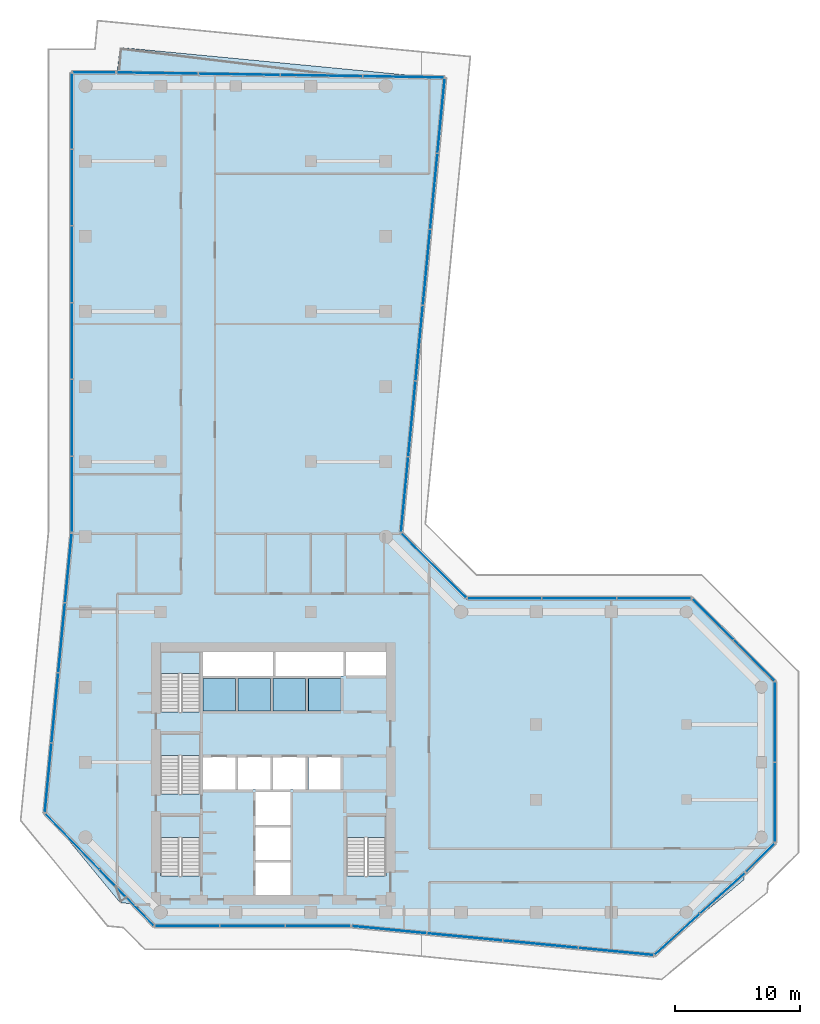
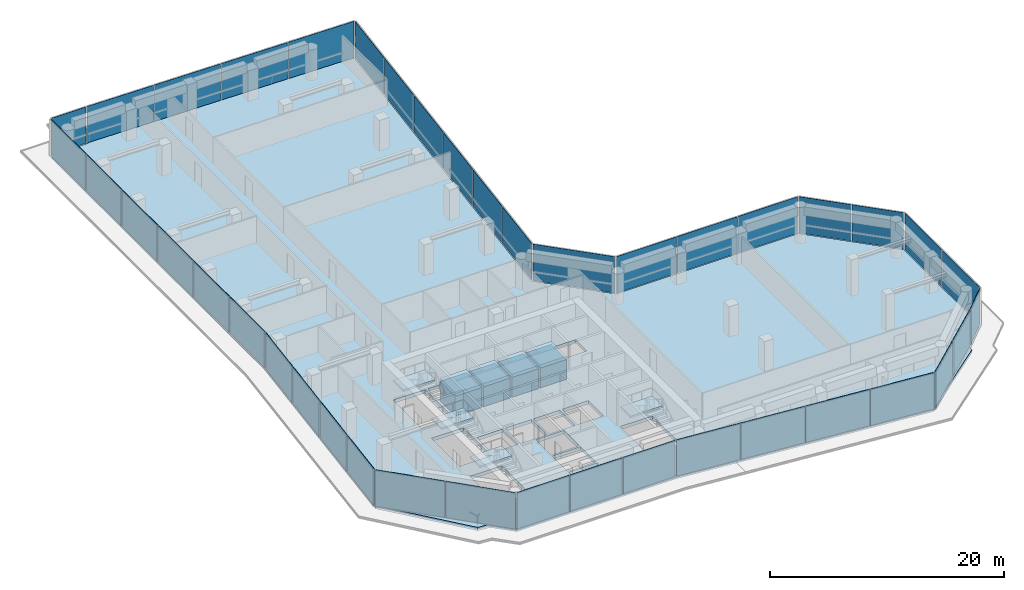
# One storey, part 7 of 12: 41 plates, 13 slabs, 18 elements without a shape of their own.
"""IFC4 building model written with IfcOpenShell, lengths in metres."""

from ifc_helpers import new_model, si_unit, direction, frame, origin, origin_2d, place, context, subcontext, project, spatial, polyline, rectangle, outline, extrude, material, layer, layer_set, type_object, element, aggregate, save


model = new_model("IFC4")

# Units and contexts
model_context = context("Model", 3, precision=1e-05, world=origin(), true_north=direction((0.0, 1.0)))
body_context = subcontext(model_context, "Body", "Model", "MODEL_VIEW")
ifc_project = project(units=[si_unit("LENGTHUNIT", "METRE"), si_unit("AREAUNIT", "SQUARE_METRE"), si_unit("VOLUMEUNIT", "CUBIC_METRE"), si_unit("PLANEANGLEUNIT", "RADIAN"), si_unit("MASSUNIT", "GRAM", prefix="KILO")], contexts=[model_context])

# Site, building, storey
site_placement = place(None, origin())
site = spatial("IfcSite", under=ifc_project, at=site_placement, CompositionType="ELEMENT")
building_placement = place(site_placement, origin())
building = spatial("IfcBuilding", under=site, at=building_placement, Name="Welwitschia Terrace Campus", CompositionType="ELEMENT")
storey_placement = place(building_placement, frame((0.0, 0.0, 134.0)))
storey = spatial("IfcBuildingStorey", under=building, at=storey_placement, Name="L30", CompositionType="ELEMENT", Elevation=134.0)

# Curtain wall, plates
ifc_material_1 = material(Name="Bronze anodised aluminium", Category="aluminium")
ifc_layer_1 = layer(ifc_material_1, 0.199951171875)
ifc_layer_set_1 = layer_set([ifc_layer_1], Name="Bronze anodised aluminium")
curtain_wall_type = type_object("IfcCurtainWallType", Name="Curtain wall CW6 plant floor 6000", PredefinedType="NOTDEFINED", material=ifc_layer_set_1)
curtain_wall_1_placement = place(storey_placement, origin())
curtain_wall_1 = element("IfcCurtainWall", 1, at=curtain_wall_1_placement, inside=storey, type_object=curtain_wall_type, Name="CW L30.0.0", PredefinedType="NOTDEFINED")
ifc_material_2 = material(Name="Tinted bronze-grey glass", Category="glass")
ifc_layer_2 = layer(ifc_material_2, 0.035888671875)
ifc_layer_set_2 = layer_set([ifc_layer_2], Name="Tinted bronze-grey glass")
plate_type = type_object("IfcPlateType", Name="Glass panel 36 laminated", PredefinedType="CURTAIN_PANEL", material=ifc_layer_set_2)
plate_1_placement = place(storey_placement, frame((-1.357421875, 31.503662109375, 0.0), z_axis=(0.0, 0.0, 1.0), x_axis=(-0.09584575252, -0.995396198367, 0.0)))
plate_1 = element("IfcPlate", 2, at=plate_1_placement, type_object=plate_type, Name="Panel L30.0.0.0", PredefinedType="CURTAIN_PANEL", context=body_context, shape_type="SweptSolid", body=[
    extrude(rectangle(XDim=5.502197265625, YDim=0.035888671875, at=origin_2d()), origin(), (0.0, 0.0, 1.0), 3.800048828125),
])
plate_2_placement = place(storey_placement, frame((-1.894287109375, 25.92724609375, 0.0), z_axis=(0.0, 0.0, 1.0), x_axis=(-0.09584575252, -0.995396198367, 0.0)))
plate_2 = element("IfcPlate", 3, at=plate_2_placement, type_object=plate_type, Name="Panel L30.0.0.1", PredefinedType="CURTAIN_PANEL", context=body_context, shape_type="SweptSolid", body=[
    extrude(rectangle(XDim=5.542236328125, YDim=0.035888671875, at=origin_2d()), origin(), (0.0, 0.0, 1.0), 3.800048828125),
])
plate_3_placement = place(storey_placement, frame((-2.43310546875, 20.3310546875, 0.0), z_axis=(0.0, 0.0, 1.0), x_axis=(-0.09584575252, -0.995396198367, 0.0)))
plate_3 = element("IfcPlate", 4, at=plate_3_placement, type_object=plate_type, Name="Panel L30.0.0.2", PredefinedType="CURTAIN_PANEL", context=body_context, shape_type="SweptSolid", body=[
    extrude(rectangle(XDim=5.542236328125, YDim=0.035888671875, at=origin_2d()), origin(), (0.0, 0.0, 1.0), 3.800048828125),
])
plate_4_placement = place(storey_placement, frame((-2.969970703125, 14.754638671875, 0.0), z_axis=(0.0, 0.0, 1.0), x_axis=(-0.09584575252, -0.995396198367, 0.0)))
plate_4 = element("IfcPlate", 5, at=plate_4_placement, type_object=plate_type, Name="Panel L30.0.0.3", PredefinedType="CURTAIN_PANEL", context=body_context, shape_type="SweptSolid", body=[
    extrude(rectangle(XDim=5.502197265625, YDim=0.035888671875, at=origin_2d()), origin(), (0.0, 0.0, 1.0), 3.800048828125),
])
aggregate(curtain_wall_1, [plate_1, plate_2, plate_3, plate_4])

curtain_wall_2_placement = place(storey_placement, origin())
curtain_wall_2 = element("IfcCurtainWall", 6, at=curtain_wall_2_placement, inside=storey, type_object=curtain_wall_type, Name="CW L30.1.0", PredefinedType="NOTDEFINED")
plate_5_placement = place(storey_placement, frame((-1.042724609375, 9.666748046875, 0.0), z_axis=(0.0, 0.0, 1.0), x_axis=(0.695726920407, -0.718306377683, 0.0)))
plate_5 = element("IfcPlate", 7, at=plate_5_placement, type_object=plate_type, Name="Panel L30.1.0.0", PredefinedType="CURTAIN_PANEL", context=body_context, shape_type="SweptSolid", body=[
    extrude(rectangle(XDim=6.16064453125, YDim=0.035888671875, at=origin_2d()), origin(), (0.0, 0.0, 1.0), 3.800048828125),
])
plate_6_placement = place(storey_placement, frame((3.299072265625, 5.18408203125, 0.0), z_axis=(0.0, 0.0, 1.0), x_axis=(0.695726920407, -0.718306377683, 0.0)))
plate_6 = element("IfcPlate", 8, at=plate_6_placement, type_object=plate_type, Name="Panel L30.1.0.1", PredefinedType="CURTAIN_PANEL", context=body_context, shape_type="SweptSolid", body=[
    extrude(rectangle(XDim=6.16064453125, YDim=0.035888671875, at=origin_2d()), origin(), (0.0, 0.0, 1.0), 3.800048828125),
])
aggregate(curtain_wall_2, [plate_5, plate_6])

curtain_wall_3_placement = place(storey_placement, origin())
curtain_wall_3 = element("IfcCurtainWall", 9, at=curtain_wall_3_placement, inside=storey, type_object=curtain_wall_type, Name="CW L30.2.0", PredefinedType="NOTDEFINED")
plate_7_placement = place(storey_placement, frame((8.138916015625, 2.9140625, 0.0), z_axis=(0.0, 0.0, 1.0), x_axis=(1.0, 0.0, 0.0)))
plate_7 = element("IfcPlate", 10, at=plate_7_placement, type_object=plate_type, Name="Panel L30.2.0.0", PredefinedType="CURTAIN_PANEL", context=body_context, shape_type="SweptSolid", body=[
    extrude(rectangle(XDim=5.12255859375, YDim=0.035888671875, at=origin_2d()), origin(), (0.0, 0.0, 1.0), 3.800048828125),
])
plate_8_placement = place(storey_placement, frame((13.361328125, 2.9140625, 0.0), z_axis=(0.0, 0.0, 1.0), x_axis=(1.0, 0.0, 0.0)))
plate_8 = element("IfcPlate", 11, at=plate_8_placement, type_object=plate_type, Name="Panel L30.2.0.1", PredefinedType="CURTAIN_PANEL", context=body_context, shape_type="SweptSolid", body=[
    extrude(rectangle(XDim=5.16259765625, YDim=0.035888671875, at=origin_2d()), origin(), (0.0, 0.0, 1.0), 3.800048828125),
])
plate_9_placement = place(storey_placement, frame((18.583984375, 2.9140625, 0.0), z_axis=(0.0, 0.0, 1.0), x_axis=(1.0, 0.0, 0.0)))
plate_9 = element("IfcPlate", 12, at=plate_9_placement, type_object=plate_type, Name="Panel L30.2.0.2", PredefinedType="CURTAIN_PANEL", context=body_context, shape_type="SweptSolid", body=[
    extrude(rectangle(XDim=5.12255859375, YDim=0.035888671875, at=origin_2d()), origin(), (0.0, 0.0, 1.0), 3.800048828125),
])
aggregate(curtain_wall_3, [plate_7, plate_8, plate_9])

curtain_wall_4_placement = place(storey_placement, origin())
curtain_wall_4 = element("IfcCurtainWall", 13, at=curtain_wall_4_placement, inside=storey, type_object=curtain_wall_type, Name="CW L30.3.0", PredefinedType="NOTDEFINED")
plate_10_placement = place(storey_placement, frame((24.270751953125, 2.620849609375, 0.0), z_axis=(0.0, 0.0, 1.0), x_axis=(0.995396198367, -0.09584575252, 0.0)))
plate_10 = element("IfcPlate", 14, at=plate_10_placement, type_object=plate_type, Name="Panel L30.3.0.0", PredefinedType="CURTAIN_PANEL", context=body_context, shape_type="SweptSolid", body=[
    extrude(rectangle(XDim=5.959228515625, YDim=0.035888671875, at=origin_2d()), origin(), (0.0, 0.0, 1.0), 3.800048828125),
])
plate_11_placement = place(storey_placement, frame((30.302001953125, 2.0400390625, 0.0), z_axis=(0.0, 0.0, 1.0), x_axis=(0.995396198367, -0.09584575252, 0.0)))
plate_11 = element("IfcPlate", 15, at=plate_11_placement, type_object=plate_type, Name="Panel L30.3.0.1", PredefinedType="CURTAIN_PANEL", context=body_context, shape_type="SweptSolid", body=[
    extrude(rectangle(XDim=5.999267578125, YDim=0.035888671875, at=origin_2d()), origin(), (0.0, 0.0, 1.0), 3.800048828125),
])
plate_12_placement = place(storey_placement, frame((36.353271484375, 1.457275390625, 0.0), z_axis=(0.0, 0.0, 1.0), x_axis=(0.995396198367, -0.09584575252, 0.0)))
plate_12 = element("IfcPlate", 16, at=plate_12_placement, type_object=plate_type, Name="Panel L30.3.0.2", PredefinedType="CURTAIN_PANEL", context=body_context, shape_type="SweptSolid", body=[
    extrude(rectangle(XDim=5.999267578125, YDim=0.035888671875, at=origin_2d()), origin(), (0.0, 0.0, 1.0), 3.800048828125),
])
plate_13_placement = place(storey_placement, frame((42.384765625, 0.87646484375, 0.0), z_axis=(0.0, 0.0, 1.0), x_axis=(0.995396198367, -0.09584575252, 0.0)))
plate_13 = element("IfcPlate", 17, at=plate_13_placement, type_object=plate_type, Name="Panel L30.3.0.3", PredefinedType="CURTAIN_PANEL", context=body_context, shape_type="SweptSolid", body=[
    extrude(rectangle(XDim=5.959228515625, YDim=0.035888671875, at=origin_2d()), origin(), (0.0, 0.0, 1.0), 3.800048828125),
])
aggregate(curtain_wall_4, [plate_10, plate_11, plate_12, plate_13])

curtain_wall_5_placement = place(storey_placement, origin())
curtain_wall_5 = element("IfcCurtainWall", 18, at=curtain_wall_5_placement, inside=storey, type_object=curtain_wall_type, Name="CW L30.4.0", PredefinedType="NOTDEFINED")
plate_14_placement = place(storey_placement, frame((47.27099609375, 2.25048828125, 0.0), z_axis=(0.0, 0.0, 1.0), x_axis=(0.741194149237, 0.671290721771, 0.0)))
plate_14 = element("IfcPlate", 19, at=plate_14_placement, type_object=plate_type, Name="Panel L30.4.0.0", PredefinedType="CURTAIN_PANEL", context=body_context, shape_type="SweptSolid", body=[
    extrude(rectangle(XDim=4.80712890625, YDim=0.035888671875, at=origin_2d()), origin(), (0.0, 0.0, 1.0), 3.800048828125),
])
plate_15_placement = place(storey_placement, frame((50.893310546875, 5.531005859375, 0.0), z_axis=(0.0, 0.0, 1.0), x_axis=(0.741194149237, 0.671290721771, 0.0)))
plate_15 = element("IfcPlate", 20, at=plate_15_placement, type_object=plate_type, Name="Panel L30.4.0.1", PredefinedType="CURTAIN_PANEL", context=body_context, shape_type="SweptSolid", body=[
    extrude(rectangle(XDim=4.80712890625, YDim=0.035888671875, at=origin_2d()), origin(), (0.0, 0.0, 1.0), 3.800048828125),
])
aggregate(curtain_wall_5, [plate_14, plate_15])

# Curtain wall, plate
curtain_wall_6_placement = place(storey_placement, origin())
curtain_wall_6 = element("IfcCurtainWall", 21, at=curtain_wall_6_placement, inside=storey, type_object=curtain_wall_type, Name="CW L30.5.0", PredefinedType="NOTDEFINED")
plate_16_placement = place(storey_placement, frame((53.91015625, 8.374267578125, 0.0), z_axis=(0.0, 0.0, 1.0), x_axis=(0.707106781187, 0.707106781187, 0.0)))
plate_16 = element("IfcPlate", 22, at=plate_16_placement, type_object=plate_type, Name="Panel L30.5.0.0", PredefinedType="CURTAIN_PANEL", context=body_context, shape_type="SweptSolid", body=[
    extrude(rectangle(XDim=3.166015625, YDim=0.035888671875, at=origin_2d()), origin(), (0.0, 0.0, 1.0), 3.800048828125),
])
aggregate(curtain_wall_6, [plate_16])

# Curtain wall, plates
curtain_wall_7_placement = place(storey_placement, origin())
curtain_wall_7 = element("IfcCurtainWall", 23, at=curtain_wall_7_placement, inside=storey, type_object=curtain_wall_type, Name="CW L30.6.0", PredefinedType="NOTDEFINED")
plate_17_placement = place(storey_placement, frame((55.0859375, 12.795166015625, 0.0), z_axis=(0.0, 0.0, 1.0), x_axis=(0.0, 1.0, 0.0)))
plate_17 = element("IfcPlate", 24, at=plate_17_placement, type_object=plate_type, Name="Panel L30.6.0.0", PredefinedType="CURTAIN_PANEL", context=body_context, shape_type="SweptSolid", body=[
    extrude(rectangle(XDim=6.329833984375, YDim=0.035888671875, at=origin_2d()), origin(), (0.0, 0.0, 1.0), 3.800048828125),
])
plate_18_placement = place(storey_placement, frame((55.0859375, 19.204833984375, 0.0), z_axis=(0.0, 0.0, 1.0), x_axis=(0.0, 1.0, 0.0)))
plate_18 = element("IfcPlate", 25, at=plate_18_placement, type_object=plate_type, Name="Panel L30.6.0.1", PredefinedType="CURTAIN_PANEL", context=body_context, shape_type="SweptSolid", body=[
    extrude(rectangle(XDim=6.329833984375, YDim=0.035888671875, at=origin_2d()), origin(), (0.0, 0.0, 1.0), 3.800048828125),
])
aggregate(curtain_wall_7, [plate_17, plate_18])

curtain_wall_8_placement = place(storey_placement, origin())
curtain_wall_8 = element("IfcCurtainWall", 26, at=curtain_wall_8_placement, inside=storey, type_object=curtain_wall_type, Name="CW L30.7.0", PredefinedType="NOTDEFINED")
plate_19_placement = place(storey_placement, frame((53.412841796875, 24.123046875, 0.0), z_axis=(0.0, 0.0, 1.0), x_axis=(-0.707106781187, 0.707106781187, 0.0)))
plate_19 = element("IfcPlate", 27, at=plate_19_placement, type_object=plate_type, Name="Panel L30.7.0.0", PredefinedType="CURTAIN_PANEL", context=body_context, shape_type="SweptSolid", body=[
    extrude(rectangle(XDim=4.572509765625, YDim=0.035888671875, at=origin_2d()), origin(), (0.0, 0.0, 1.0), 3.800048828125),
])
plate_20_placement = place(storey_placement, frame((50.123046875, 27.412841796875, 0.0), z_axis=(0.0, 0.0, 1.0), x_axis=(-0.707106781187, 0.707106781187, 0.0)))
plate_20 = element("IfcPlate", 28, at=plate_20_placement, type_object=plate_type, Name="Panel L30.7.0.1", PredefinedType="CURTAIN_PANEL", context=body_context, shape_type="SweptSolid", body=[
    extrude(rectangle(XDim=4.572509765625, YDim=0.035888671875, at=origin_2d()), origin(), (0.0, 0.0, 1.0), 3.800048828125),
])
aggregate(curtain_wall_8, [plate_19, plate_20])

curtain_wall_9_placement = place(storey_placement, origin())
curtain_wall_9 = element("IfcCurtainWall", 29, at=curtain_wall_9_placement, inside=storey, type_object=curtain_wall_type, Name="CW L30.8.0", PredefinedType="NOTDEFINED")
plate_21_placement = place(storey_placement, frame((45.429931640625, 29.0859375, 0.0), z_axis=(0.0, 0.0, 1.0), x_axis=(-1.0, 0.0, 0.0)))
plate_21 = element("IfcPlate", 30, at=plate_21_placement, type_object=plate_type, Name="Panel L30.8.0.0", PredefinedType="CURTAIN_PANEL", context=body_context, shape_type="SweptSolid", body=[
    extrude(rectangle(XDim=5.8798828125, YDim=0.035888671875, at=origin_2d()), origin(), (0.0, 0.0, 1.0), 3.800048828125),
])
plate_22_placement = place(storey_placement, frame((39.449951171875, 29.0859375, 0.0), z_axis=(0.0, 0.0, 1.0), x_axis=(-1.0, 0.0, 0.0)))
plate_22 = element("IfcPlate", 31, at=plate_22_placement, type_object=plate_type, Name="Panel L30.8.0.1", PredefinedType="CURTAIN_PANEL", context=body_context, shape_type="SweptSolid", body=[
    extrude(rectangle(XDim=5.919921875, YDim=0.035888671875, at=origin_2d()), origin(), (0.0, 0.0, 1.0), 3.800048828125),
])
plate_23_placement = place(storey_placement, frame((33.4697265625, 29.0859375, 0.0), z_axis=(0.0, 0.0, 1.0), x_axis=(-1.0, 0.0, 0.0)))
plate_23 = element("IfcPlate", 32, at=plate_23_placement, type_object=plate_type, Name="Panel L30.8.0.2", PredefinedType="CURTAIN_PANEL", context=body_context, shape_type="SweptSolid", body=[
    extrude(rectangle(XDim=5.8798828125, YDim=0.035888671875, at=origin_2d()), origin(), (0.0, 0.0, 1.0), 3.800048828125),
])
aggregate(curtain_wall_9, [plate_21, plate_22, plate_23])

# Curtain wall, plate
curtain_wall_10_placement = place(storey_placement, origin())
curtain_wall_10 = element("IfcCurtainWall", 33, at=curtain_wall_10_placement, inside=storey, type_object=curtain_wall_type, Name="CW L30.9.0", PredefinedType="NOTDEFINED")
plate_24_placement = place(storey_placement, frame((27.828857421875, 31.70703125, 0.0), z_axis=(0.0, 0.0, 1.0), x_axis=(-0.707106781187, 0.707106781187, 0.0)))
plate_24 = element("IfcPlate", 34, at=plate_24_placement, type_object=plate_type, Name="Panel L30.9.0.0", PredefinedType="CURTAIN_PANEL", context=body_context, shape_type="SweptSolid", body=[
    extrude(rectangle(XDim=7.253662109375, YDim=0.035888671875, at=origin_2d()), origin(), (0.0, 0.0, 1.0), 3.800048828125),
])
aggregate(curtain_wall_10, [plate_24])

# Curtain wall, plates
curtain_wall_11_placement = place(storey_placement, origin())
curtain_wall_11 = element("IfcCurtainWall", 35, at=curtain_wall_11_placement, inside=storey, type_object=curtain_wall_type, Name="CW L30.10.0", PredefinedType="NOTDEFINED")
plate_25_placement = place(storey_placement, frame((25.501220703125, 37.37744140625, 0.0), z_axis=(0.0, 0.0, 1.0), x_axis=(0.09584575252, 0.995396198367, 0.0)))
plate_25 = element("IfcPlate", 36, at=plate_25_placement, type_object=plate_type, Name="Panel L30.10.0.0", PredefinedType="CURTAIN_PANEL", context=body_context, shape_type="SweptSolid", body=[
    extrude(rectangle(XDim=5.966796875, YDim=0.035888671875, at=origin_2d()), origin(), (0.0, 0.0, 1.0), 3.800048828125),
])
plate_26_placement = place(storey_placement, frame((26.082763671875, 43.416259765625, 0.0), z_axis=(0.0, 0.0, 1.0), x_axis=(0.09584575252, 0.995396198367, 0.0)))
plate_26 = element("IfcPlate", 37, at=plate_26_placement, type_object=plate_type, Name="Panel L30.10.0.1", PredefinedType="CURTAIN_PANEL", context=body_context, shape_type="SweptSolid", body=[
    extrude(rectangle(XDim=6.0068359375, YDim=0.035888671875, at=origin_2d()), origin(), (0.0, 0.0, 1.0), 3.800048828125),
])
plate_27_placement = place(storey_placement, frame((26.666259765625, 49.47509765625, 0.0), z_axis=(0.0, 0.0, 1.0), x_axis=(0.09584575252, 0.995396198367, 0.0)))
plate_27 = element("IfcPlate", 38, at=plate_27_placement, type_object=plate_type, Name="Panel L30.10.0.2", PredefinedType="CURTAIN_PANEL", context=body_context, shape_type="SweptSolid", body=[
    extrude(rectangle(XDim=6.0068359375, YDim=0.035888671875, at=origin_2d()), origin(), (0.0, 0.0, 1.0), 3.800048828125),
])
plate_28_placement = place(storey_placement, frame((27.24951171875, 55.533935546875, 0.0), z_axis=(0.0, 0.0, 1.0), x_axis=(0.09584575252, 0.995396198367, 0.0)))
plate_28 = element("IfcPlate", 39, at=plate_28_placement, type_object=plate_type, Name="Panel L30.10.0.3", PredefinedType="CURTAIN_PANEL", context=body_context, shape_type="SweptSolid", body=[
    extrude(rectangle(XDim=6.0068359375, YDim=0.035888671875, at=origin_2d()), origin(), (0.0, 0.0, 1.0), 3.800048828125),
])
plate_29_placement = place(storey_placement, frame((27.8330078125, 61.592529296875, 0.0), z_axis=(0.0, 0.0, 1.0), x_axis=(0.09584575252, 0.995396198367, 0.0)))
plate_29 = element("IfcPlate", 40, at=plate_29_placement, type_object=plate_type, Name="Panel L30.10.0.4", PredefinedType="CURTAIN_PANEL", context=body_context, shape_type="SweptSolid", body=[
    extrude(rectangle(XDim=6.0068359375, YDim=0.035888671875, at=origin_2d()), origin(), (0.0, 0.0, 1.0), 3.800048828125),
])
plate_30_placement = place(storey_placement, frame((28.414306640625, 67.631591796875, 0.0), z_axis=(0.0, 0.0, 1.0), x_axis=(0.09584575252, 0.995396198367, 0.0)))
plate_30 = element("IfcPlate", 41, at=plate_30_placement, type_object=plate_type, Name="Panel L30.10.0.5", PredefinedType="CURTAIN_PANEL", context=body_context, shape_type="SweptSolid", body=[
    extrude(rectangle(XDim=5.966796875, YDim=0.035888671875, at=origin_2d()), origin(), (0.0, 0.0, 1.0), 3.800048828125),
])
aggregate(curtain_wall_11, [plate_25, plate_26, plate_27, plate_28, plate_29, plate_30])

curtain_wall_12_placement = place(storey_placement, origin())
curtain_wall_12 = element("IfcCurtainWall", 42, at=curtain_wall_12_placement, inside=storey, type_object=curtain_wall_type, Name="CW L30.11.0", PredefinedType="NOTDEFINED")
plate_31_placement = place(storey_placement, frame((25.40625, 70.731689453125, 0.0), z_axis=(0.0, 0.0, 1.0), x_axis=(-0.999880907458, 0.015432786585, 0.0)))
plate_31 = element("IfcPlate", 43, at=plate_31_placement, type_object=plate_type, Name="Panel L30.11.0.0", PredefinedType="CURTAIN_PANEL", context=body_context, shape_type="SweptSolid", body=[
    extrude(rectangle(XDim=6.4443359375, YDim=0.035888671875, at=origin_2d()), origin(), (0.0, 0.0, 1.0), 3.800048828125),
])
plate_32_placement = place(storey_placement, frame((18.86279296875, 70.832763671875, 0.0), z_axis=(0.0, 0.0, 1.0), x_axis=(-0.999880907458, 0.015432786585, 0.0)))
plate_32 = element("IfcPlate", 44, at=plate_32_placement, type_object=plate_type, Name="Panel L30.11.0.1", PredefinedType="CURTAIN_PANEL", context=body_context, shape_type="SweptSolid", body=[
    extrude(rectangle(XDim=6.484375, YDim=0.035888671875, at=origin_2d()), origin(), (0.0, 0.0, 1.0), 3.800048828125),
])
plate_33_placement = place(storey_placement, frame((12.29931640625, 70.93408203125, 0.0), z_axis=(0.0, 0.0, 1.0), x_axis=(-0.999880907458, 0.015432786585, 0.0)))
plate_33 = element("IfcPlate", 45, at=plate_33_placement, type_object=plate_type, Name="Panel L30.11.0.2", PredefinedType="CURTAIN_PANEL", context=body_context, shape_type="SweptSolid", body=[
    extrude(rectangle(XDim=6.484375, YDim=0.035888671875, at=origin_2d()), origin(), (0.0, 0.0, 1.0), 3.800048828125),
])
plate_34_placement = place(storey_placement, frame((5.755859375, 71.03515625, 0.0), z_axis=(0.0, 0.0, 1.0), x_axis=(-0.999880907458, 0.015432786585, 0.0)))
plate_34 = element("IfcPlate", 46, at=plate_34_placement, type_object=plate_type, Name="Panel L30.11.0.3", PredefinedType="CURTAIN_PANEL", context=body_context, shape_type="SweptSolid", body=[
    extrude(rectangle(XDim=6.4443359375, YDim=0.035888671875, at=origin_2d()), origin(), (0.0, 0.0, 1.0), 3.800048828125),
])
aggregate(curtain_wall_12, [plate_31, plate_32, plate_33, plate_34])

# Curtain wall, plate
curtain_wall_13_placement = place(storey_placement, origin())
curtain_wall_13 = element("IfcCurtainWall", 47, at=curtain_wall_13_placement, inside=storey, type_object=curtain_wall_type, Name="CW L30.12.0", PredefinedType="NOTDEFINED")
plate_35_placement = place(storey_placement, frame((0.68408203125, 71.0859375, 0.0), z_axis=(0.0, 0.0, 1.0), x_axis=(-1.0, 0.0, 0.0)))
plate_35 = element("IfcPlate", 48, at=plate_35_placement, type_object=plate_type, Name="Panel L30.12.0.0", PredefinedType="CURTAIN_PANEL", context=body_context, shape_type="SweptSolid", body=[
    extrude(rectangle(XDim=3.3798828125, YDim=0.035888671875, at=origin_2d()), origin(), (0.0, 0.0, 1.0), 3.800048828125),
])
aggregate(curtain_wall_13, [plate_35])

# Curtain wall, plates
curtain_wall_14_placement = place(storey_placement, origin())
curtain_wall_14 = element("IfcCurtainWall", 49, at=curtain_wall_14_placement, inside=storey, type_object=curtain_wall_type, Name="CW L30.13.0", PredefinedType="NOTDEFINED")
plate_36_placement = place(storey_placement, frame((-1.0859375, 68.002197265625, 0.0), z_axis=(0.0, 0.0, 1.0), x_axis=(0.0, -1.0, 0.0)))
plate_36 = element("IfcPlate", 50, at=plate_36_placement, type_object=plate_type, Name="Panel L30.13.0.0", PredefinedType="CURTAIN_PANEL", context=body_context, shape_type="SweptSolid", body=[
    extrude(rectangle(XDim=6.00732421875, YDim=0.035888671875, at=origin_2d()), origin(), (0.0, 0.0, 1.0), 3.800048828125),
])
plate_37_placement = place(storey_placement, frame((-1.0859375, 61.89501953125, 0.0), z_axis=(0.0, 0.0, 1.0), x_axis=(0.0, -1.0, 0.0)))
plate_37 = element("IfcPlate", 51, at=plate_37_placement, type_object=plate_type, Name="Panel L30.13.0.1", PredefinedType="CURTAIN_PANEL", context=body_context, shape_type="SweptSolid", body=[
    extrude(rectangle(XDim=6.04736328125, YDim=0.035888671875, at=origin_2d()), origin(), (0.0, 0.0, 1.0), 3.800048828125),
])
plate_38_placement = place(storey_placement, frame((-1.0859375, 55.767578125, 0.0), z_axis=(0.0, 0.0, 1.0), x_axis=(0.0, -1.0, 0.0)))
plate_38 = element("IfcPlate", 52, at=plate_38_placement, type_object=plate_type, Name="Panel L30.13.0.2", PredefinedType="CURTAIN_PANEL", context=body_context, shape_type="SweptSolid", body=[
    extrude(rectangle(XDim=6.04736328125, YDim=0.035888671875, at=origin_2d()), origin(), (0.0, 0.0, 1.0), 3.800048828125),
])
plate_39_placement = place(storey_placement, frame((-1.0859375, 49.64013671875, 0.0), z_axis=(0.0, 0.0, 1.0), x_axis=(0.0, -1.0, 0.0)))
plate_39 = element("IfcPlate", 53, at=plate_39_placement, type_object=plate_type, Name="Panel L30.13.0.3", PredefinedType="CURTAIN_PANEL", context=body_context, shape_type="SweptSolid", body=[
    extrude(rectangle(XDim=6.04736328125, YDim=0.035888671875, at=origin_2d()), origin(), (0.0, 0.0, 1.0), 3.800048828125),
])
plate_40_placement = place(storey_placement, frame((-1.0859375, 43.5126953125, 0.0), z_axis=(0.0, 0.0, 1.0), x_axis=(0.0, -1.0, 0.0)))
plate_40 = element("IfcPlate", 54, at=plate_40_placement, type_object=plate_type, Name="Panel L30.13.0.4", PredefinedType="CURTAIN_PANEL", context=body_context, shape_type="SweptSolid", body=[
    extrude(rectangle(XDim=6.04736328125, YDim=0.035888671875, at=origin_2d()), origin(), (0.0, 0.0, 1.0), 3.800048828125),
])
plate_41_placement = place(storey_placement, frame((-1.0859375, 37.405517578125, 0.0), z_axis=(0.0, 0.0, 1.0), x_axis=(0.0, -1.0, 0.0)))
plate_41 = element("IfcPlate", 55, at=plate_41_placement, type_object=plate_type, Name="Panel L30.13.0.5", PredefinedType="CURTAIN_PANEL", context=body_context, shape_type="SweptSolid", body=[
    extrude(rectangle(XDim=6.00732421875, YDim=0.035888671875, at=origin_2d()), origin(), (0.0, 0.0, 1.0), 3.800048828125),
])
aggregate(curtain_wall_14, [plate_36, plate_37, plate_38, plate_39, plate_40, plate_41])

# Slabs
ifc_material_3 = material(Name="Concrete C40/50", Category="concrete")
ifc_layer_3 = layer(ifc_material_3, 2.050048828125)
ifc_layer_set_3 = layer_set([ifc_layer_3], Name="Concrete C40/50")
slab_type_1 = type_object("IfcSlabType", Name="Lift pit plinth 2050", PredefinedType="BASESLAB", material=ifc_layer_set_3)
slab_1_placement = place(storey_placement, origin())
element("IfcSlab", 56, at=slab_1_placement, inside=storey, type_object=slab_type_1, Name="Lift pit plinth HR1", PredefinedType="BASESLAB", context=body_context, shape_type="SweptSolid", body=[
    extrude(outline(polyline([(9.39990234375, 20.10009765625), (12.0, 20.10009765625), (12.0, 22.699951171875), (9.39990234375, 22.699951171875), (9.39990234375, 20.10009765625)])), origin(), (0.0, 0.0, 1.0), 2.050048828125),
])
slab_2_placement = place(storey_placement, origin())
element("IfcSlab", 57, at=slab_2_placement, inside=storey, type_object=slab_type_1, Name="Lift pit plinth HR2", PredefinedType="BASESLAB", context=body_context, shape_type="SweptSolid", body=[
    extrude(outline(polyline([(12.199951171875, 20.10009765625), (14.800048828125, 20.10009765625), (14.800048828125, 22.699951171875), (12.199951171875, 22.699951171875), (12.199951171875, 20.10009765625)])), origin(), (0.0, 0.0, 1.0), 2.050048828125),
])
slab_3_placement = place(storey_placement, origin())
element("IfcSlab", 58, at=slab_3_placement, inside=storey, type_object=slab_type_1, Name="Lift pit plinth HR3", PredefinedType="BASESLAB", context=body_context, shape_type="SweptSolid", body=[
    extrude(outline(polyline([(15.0, 20.10009765625), (17.60009765625, 20.10009765625), (17.60009765625, 22.699951171875), (15.0, 22.699951171875), (15.0, 20.10009765625)])), origin(), (0.0, 0.0, 1.0), 2.050048828125),
])
slab_4_placement = place(storey_placement, origin())
element("IfcSlab", 59, at=slab_4_placement, inside=storey, type_object=slab_type_1, Name="Lift pit plinth HR4", PredefinedType="BASESLAB", context=body_context, shape_type="SweptSolid", body=[
    extrude(outline(polyline([(17.800048828125, 20.10009765625), (20.39990234375, 20.10009765625), (20.39990234375, 22.699951171875), (17.800048828125, 22.699951171875), (17.800048828125, 20.10009765625)])), origin(), (0.0, 0.0, 1.0), 2.050048828125),
])

# Stair, slab
ifc_material_4 = material(Name="Concrete C40/50", Category="concrete")
stair_type = type_object("IfcStairType", Name="Stair 24R 175 W1500", PredefinedType="HALF_TURN_STAIR", material=ifc_material_4)
stair_1_placement = place(storey_placement, origin())
stair_1 = element("IfcStair", 60, at=stair_1_placement, inside=storey, type_object=stair_type, Name="L30 Exit stair S1", PredefinedType="HALF_TURN_STAIR")
ifc_material_5 = material(Name="Concrete C40/50", Category="concrete")
ifc_layer_4 = layer(ifc_material_5, 0.199951171875)
ifc_layer_set_4 = layer_set([ifc_layer_4], Name="Concrete C40/50")
slab_type_2 = type_object("IfcSlabType", Name="Stair landing RC", PredefinedType="LANDING", material=ifc_layer_set_4)
slab_5_placement = place(storey_placement, frame((0.0, 0.0, 1.89990234375)))
slab_5 = element("IfcSlab", 61, at=slab_5_placement, type_object=slab_type_2, Name="S1 landing 1", PredefinedType="LANDING", context=body_context, shape_type="SweptSolid", body=[
    extrude(outline(polyline([(9.14990234375, 9.97998046875), (9.14990234375, 11.699951171875), (6.0, 11.699951171875), (6.0, 9.97998046875), (9.14990234375, 9.97998046875)])), origin(), (0.0, 0.0, 1.0), 0.2001953125),
])
aggregate(stair_1, [slab_5])

stair_2_placement = place(storey_placement, origin())
stair_2 = element("IfcStair", 62, at=stair_2_placement, inside=storey, type_object=stair_type, Name="L30 Exit stair S3", PredefinedType="HALF_TURN_STAIR")
slab_6_placement = place(storey_placement, frame((0.0, 0.0, 1.89990234375)))
slab_6 = element("IfcSlab", 63, at=slab_6_placement, type_object=slab_type_2, Name="S3 landing 1", PredefinedType="LANDING", context=body_context, shape_type="SweptSolid", body=[
    extrude(outline(polyline([(9.14990234375, 16.530029296875), (9.14990234375, 18.25), (6.0, 18.25), (6.0, 16.530029296875), (9.14990234375, 16.530029296875)])), origin(), (0.0, 0.0, 1.0), 0.2001953125),
])
aggregate(stair_2, [slab_6])

stair_3_placement = place(storey_placement, origin())
stair_3 = element("IfcStair", 64, at=stair_3_placement, inside=storey, type_object=stair_type, Name="L30 Exit stair S4", PredefinedType="HALF_TURN_STAIR")
slab_7_placement = place(storey_placement, frame((0.0, 0.0, 1.89990234375)))
slab_7 = element("IfcSlab", 65, at=slab_7_placement, type_object=slab_type_2, Name="S4 landing 1", PredefinedType="LANDING", context=body_context, shape_type="SweptSolid", body=[
    extrude(outline(polyline([(9.14990234375, 23.080078125), (9.14990234375, 24.800048828125), (6.0, 24.800048828125), (6.0, 23.080078125), (9.14990234375, 23.080078125)])), origin(), (0.0, 0.0, 1.0), 0.2001953125),
])
aggregate(stair_3, [slab_7])

stair_4_placement = place(storey_placement, origin())
stair_4 = element("IfcStair", 66, at=stair_4_placement, inside=storey, type_object=stair_type, Name="L30 Exit stair S2", PredefinedType="HALF_TURN_STAIR")
slab_8_placement = place(storey_placement, frame((0.0, 0.0, 1.89990234375)))
slab_8 = element("IfcSlab", 67, at=slab_8_placement, type_object=slab_type_2, Name="S2 landing 1", PredefinedType="LANDING", context=body_context, shape_type="SweptSolid", body=[
    extrude(outline(polyline([(24.0, 9.97998046875), (24.0, 11.699951171875), (20.85009765625, 11.699951171875), (20.85009765625, 9.97998046875), (24.0, 9.97998046875)])), origin(), (0.0, 0.0, 1.0), 0.2001953125),
])
aggregate(stair_4, [slab_8])

# Slabs
ifc_material_6 = material(Name="Concrete C40/50", Category="concrete")
ifc_layer_5 = layer(ifc_material_6, 0.35009765625)
ifc_layer_set_5 = layer_set([ifc_layer_5], Name="Concrete C40/50")
slab_type_3 = type_object("IfcSlabType", Name="Suspended floor slab 350", PredefinedType="FLOOR", material=ifc_layer_set_5)
slab_9_placement = place(storey_placement, frame((0.0, 0.0, -0.35009765625)))
element("IfcSlab", 68, at=slab_9_placement, inside=storey, type_object=slab_type_3, Name="Floor slab L30", PredefinedType="FLOOR", context=body_context, shape_type="SweptSolid", body=[
    extrude(outline(polyline([(-1.0, 71.0), (2.5322265625, 71.0), (2.73388671875, 73.095458984375), (28.6142578125, 70.603515625), (25.1181640625, 34.296142578125), (30.414306640625, 29.0), (48.414306640625, 29.0), (55.0, 22.414306640625), (55.0, 9.585693359375), (52.6513671875, 7.2373046875), (52.58984375, 6.5966796875), (45.403076171875, 0.67236328125), (21.229248046875, 3.0), (5.585693359375, 3.0), (3.9189453125, 4.666748046875), (2.771728515625, 4.77734375), (-3.15234375, 11.9638671875), (-1.0, 34.317626953125), (-1.0, 71.0)]), holes=[polyline([(13.60009765625, 8.0), (13.60009765625, 5.39990234375), (16.39990234375, 5.39990234375), (16.39990234375, 8.0), (13.60009765625, 8.0)]), polyline([(9.14990234375, 11.699951171875), (6.0, 11.699951171875), (6.0, 6.902099609375), (9.14990234375, 6.902099609375), (9.14990234375, 11.699951171875)]), polyline([(12.0, 16.39990234375), (9.39990234375, 16.39990234375), (9.39990234375, 13.800048828125), (12.0, 13.800048828125), (12.0, 16.39990234375)]), polyline([(14.800048828125, 16.39990234375), (12.199951171875, 16.39990234375), (12.199951171875, 13.800048828125), (14.800048828125, 13.800048828125), (14.800048828125, 16.39990234375)]), polyline([(9.14990234375, 18.25), (6.0, 18.25), (6.0, 13.451904296875), (9.14990234375, 13.451904296875), (9.14990234375, 18.25)]), polyline([(9.14990234375, 24.800048828125), (6.0, 24.800048828125), (6.0, 20.001953125), (9.14990234375, 20.001953125), (9.14990234375, 24.800048828125)]), polyline([(15.0, 24.800048828125), (9.39990234375, 24.800048828125), (9.39990234375, 22.89990234375), (15.0, 22.89990234375), (15.0, 24.800048828125)]), polyline([(20.85009765625, 11.699951171875), (20.85009765625, 6.902099609375), (24.0, 6.902099609375), (24.0, 11.699951171875), (20.85009765625, 11.699951171875)]), polyline([(16.39990234375, 10.800048828125), (13.60009765625, 10.800048828125), (13.60009765625, 8.199951171875), (16.39990234375, 8.199951171875), (16.39990234375, 10.800048828125)]), polyline([(16.39990234375, 13.60009765625), (13.60009765625, 13.60009765625), (13.60009765625, 11.0), (16.39990234375, 11.0), (16.39990234375, 13.60009765625)]), polyline([(17.60009765625, 16.39990234375), (15.0, 16.39990234375), (15.0, 13.800048828125), (17.60009765625, 13.800048828125), (17.60009765625, 16.39990234375)]), polyline([(20.39990234375, 16.39990234375), (17.800048828125, 16.39990234375), (17.800048828125, 13.800048828125), (20.39990234375, 13.800048828125), (20.39990234375, 16.39990234375)]), polyline([(20.60009765625, 24.800048828125), (15.199951171875, 24.800048828125), (15.199951171875, 22.89990234375), (20.60009765625, 22.89990234375), (20.60009765625, 24.800048828125)]), polyline([(24.0, 24.800048828125), (20.800048828125, 24.800048828125), (20.800048828125, 22.89990234375), (24.0, 22.89990234375), (24.0, 24.800048828125)])]), origin(), (0.0, 0.0, 1.0), 0.35009765625),
])
ifc_material_7 = material(Name="Concrete C40/50", Category="concrete")
ifc_layer_6 = layer(ifc_material_7, 0.35009765625)
ifc_layer_set_6 = layer_set([ifc_layer_6], Name="Concrete C40/50")
slab_type_4 = type_object("IfcSlabType", Name="Upper lift pit slab", PredefinedType="BASESLAB", material=ifc_layer_set_6)
slab_10_placement = place(storey_placement, frame((0.0, 0.0, 2.050048828125)))
element("IfcSlab", 69, at=slab_10_placement, inside=storey, type_object=slab_type_4, Name="Lift pit slab HR1", PredefinedType="BASESLAB", context=body_context, shape_type="SweptSolid", body=[
    extrude(outline(polyline([(9.39990234375, 20.10009765625), (12.0, 20.10009765625), (12.0, 22.699951171875), (9.39990234375, 22.699951171875), (9.39990234375, 20.10009765625)])), origin(), (0.0, 0.0, 1.0), 0.349853515625),
])
slab_11_placement = place(storey_placement, frame((0.0, 0.0, 2.050048828125)))
element("IfcSlab", 70, at=slab_11_placement, inside=storey, type_object=slab_type_4, Name="Lift pit slab HR2", PredefinedType="BASESLAB", context=body_context, shape_type="SweptSolid", body=[
    extrude(outline(polyline([(12.199951171875, 20.10009765625), (14.800048828125, 20.10009765625), (14.800048828125, 22.699951171875), (12.199951171875, 22.699951171875), (12.199951171875, 20.10009765625)])), origin(), (0.0, 0.0, 1.0), 0.349853515625),
])
slab_12_placement = place(storey_placement, frame((0.0, 0.0, 2.050048828125)))
element("IfcSlab", 71, at=slab_12_placement, inside=storey, type_object=slab_type_4, Name="Lift pit slab HR3", PredefinedType="BASESLAB", context=body_context, shape_type="SweptSolid", body=[
    extrude(outline(polyline([(15.0, 20.10009765625), (17.60009765625, 20.10009765625), (17.60009765625, 22.699951171875), (15.0, 22.699951171875), (15.0, 20.10009765625)])), origin(), (0.0, 0.0, 1.0), 0.349853515625),
])
slab_13_placement = place(storey_placement, frame((0.0, 0.0, 2.050048828125)))
element("IfcSlab", 72, at=slab_13_placement, inside=storey, type_object=slab_type_4, Name="Lift pit slab HR4", PredefinedType="BASESLAB", context=body_context, shape_type="SweptSolid", body=[
    extrude(outline(polyline([(17.800048828125, 20.10009765625), (20.39990234375, 20.10009765625), (20.39990234375, 22.699951171875), (17.800048828125, 22.699951171875), (17.800048828125, 20.10009765625)])), origin(), (0.0, 0.0, 1.0), 0.349853515625),
])

save(model, "model.ifc")
